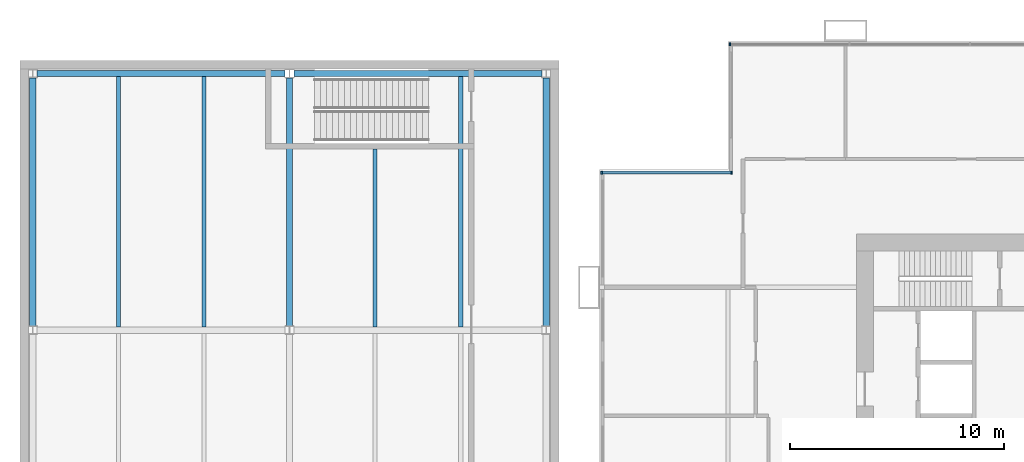
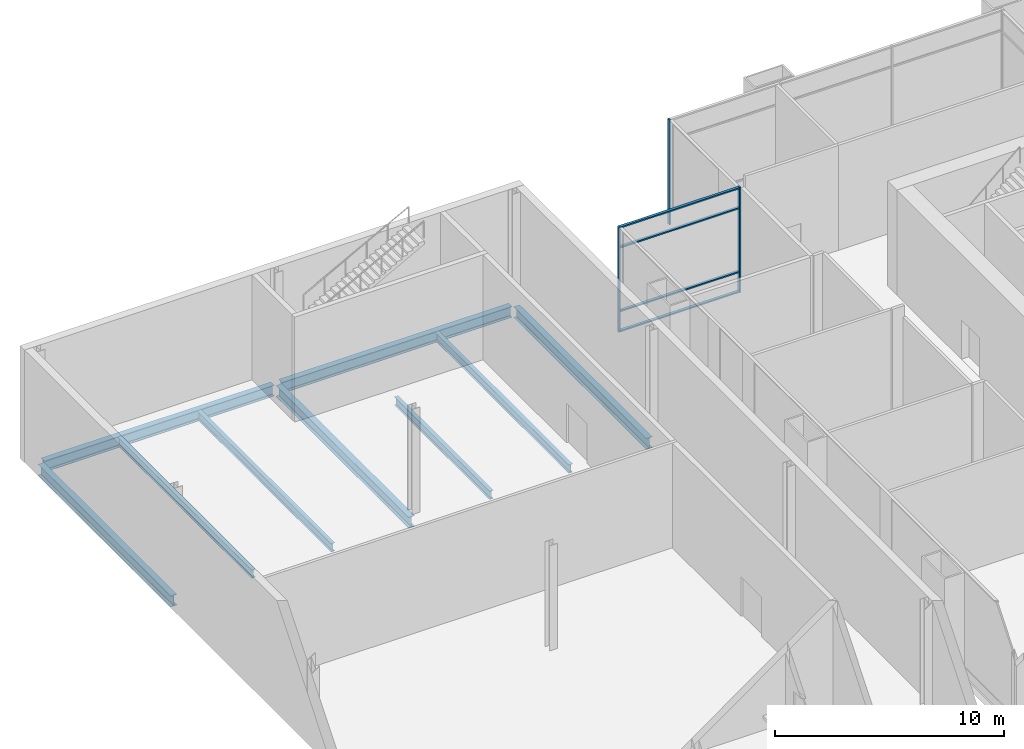
# One storey, part 15 of 30: 9 beams, 7 members, 2 elements without a shape of their own.
"""IFC4 building model written with IfcOpenShell, lengths in metres."""

from ifc_helpers import new_model, si_unit, direction, frame, origin, origin_2d, place, context, subcontext, project, spatial, rectangle, i_section, extrude, material, material_profile, profile_set, type_object, element, aggregate, save


model = new_model("IFC4")

# Units and contexts
model_context = context("Model", 3, precision=1e-05, world=origin(), true_north=direction((0.0, 1.0)))
body_context = subcontext(model_context, "Body", "Model", "MODEL_VIEW")
ifc_project = project(units=[si_unit("LENGTHUNIT", "METRE"), si_unit("AREAUNIT", "SQUARE_METRE"), si_unit("VOLUMEUNIT", "CUBIC_METRE"), si_unit("PLANEANGLEUNIT", "RADIAN"), si_unit("MASSUNIT", "GRAM", prefix="KILO")], contexts=[model_context])

# Site, building, storey
site_placement = place(None, origin())
site = spatial("IfcSite", under=ifc_project, at=site_placement, CompositionType="ELEMENT")
building_placement = place(site_placement, origin())
building = spatial("IfcBuilding", under=site, at=building_placement, Name="Kitamizu Gate Tower and Museum", CompositionType="ELEMENT")
storey_placement = place(building_placement, frame((0.0, 0.0, 6.0)))
storey = spatial("IfcBuildingStorey", under=building, at=storey_placement, Name="L01", CompositionType="ELEMENT", Elevation=6.0)

# Curtain wall, member
ifc_material_1 = material(Name="Bronze anodised aluminium frame, tinted triple glazing", Category="aluminium")
curtain_wall_type = type_object("IfcCurtainWallType", Name="CURTAIN WALL TYPE E PODIUM PLAZA", PredefinedType="NOTDEFINED", material=ifc_material_1)
curtain_wall_1_placement = place(storey_placement, origin())
curtain_wall_1 = element("IfcCurtainWall", 1, at=curtain_wall_1_placement, inside=storey, type_object=curtain_wall_type, Name="Curtain wall CW-E north L01", PredefinedType="NOTDEFINED")
ifc_material_2 = material(Name="Bronze anodised aluminium", Category="aluminium")
ifc_material_profile_1 = material_profile(ifc_material_2, rectangle(XDim=0.080078125, YDim=0.14990234375, at=origin_2d()), Name="AL 80X150")
ifc_profile_set_1 = profile_set([ifc_material_profile_1], Name="Bronze anodised aluminium")
member_type_1 = type_object("IfcMemberType", Name="MULLION 80 X 150 TYPE E", PredefinedType="MULLION", material=ifc_profile_set_1)
member_1_placement = place(storey_placement, frame((6.60009765625, 47.364990234375, 0.0), z_axis=(0.0, 0.0, 1.0), x_axis=(1.0, 0.0, 0.0)))
member_1 = element("IfcMember", 2, at=member_1_placement, type_object=member_type_1, Name="CW-E mullion 1", PredefinedType="MULLION", context=body_context, shape_type="SweptSolid", body=[
    extrude(rectangle(XDim=0.080078125, YDim=0.14990234375, at=origin_2d()), origin(), (0.0, 0.0, 1.0), 5.60009765625),
])
aggregate(curtain_wall_1, [member_1])

# Curtain wall, members
curtain_wall_2_placement = place(storey_placement, origin())
curtain_wall_2 = element("IfcCurtainWall", 3, at=curtain_wall_2_placement, inside=storey, type_object=curtain_wall_type, Name="Curtain wall CW-E north L01", PredefinedType="NOTDEFINED")
member_2_placement = place(storey_placement, frame((0.60009765625, 41.364990234375, 0.0), z_axis=(0.0, 0.0, 1.0), x_axis=(1.0, 0.0, 0.0)))
member_2 = element("IfcMember", 4, at=member_2_placement, type_object=member_type_1, Name="CW-E mullion 1", PredefinedType="MULLION", context=body_context, shape_type="SweptSolid", body=[
    extrude(rectangle(XDim=0.080078125, YDim=0.14990234375, at=origin_2d()), origin(), (0.0, 0.0, 1.0), 5.60009765625),
])
member_3_placement = place(storey_placement, frame((6.669921875, 41.364990234375, 0.0), z_axis=(0.0, 0.0, 1.0), x_axis=(1.0, 0.0, 0.0)))
member_3 = element("IfcMember", 5, at=member_3_placement, type_object=member_type_1, Name="CW-E mullion 2", PredefinedType="MULLION", context=body_context, shape_type="SweptSolid", body=[
    extrude(rectangle(XDim=0.080078125, YDim=0.14990234375, at=origin_2d()), origin(), (0.0, 0.0, 1.0), 5.60009765625),
])

# Beams
ifc_material_3 = material(Name="Steel SS400", Category="steel")
ifc_material_profile_2 = material_profile(ifc_material_3, i_section(OverallWidth=0.300048828125, OverallDepth=0.587890625, WebThickness=0.011962890625, FlangeThickness=0.02001953125, FilletRadius=0.028076171875, at=origin_2d()), Name="H-588x300x12x20")
ifc_profile_set_2 = profile_set([ifc_material_profile_2], Name="Steel SS400")
beam_type_1 = type_object("IfcBeamType", Name="Museum girder H 588x300x12x20", PredefinedType="BEAM", material=ifc_profile_set_2)
for number, where, z_axis, x_axis, name in (
    (6, (-25.800048828125, 46.0, -0.694091796875), (1.0, 0.0, 0.0), (0.0, 1.0, 0.0), "Girder xM1M2MG"),
    (7, (-13.800048828125, 46.0, -0.694091796875), (1.0, 0.0, 0.0), (0.0, 1.0, 0.0), "Girder xM2M3MG"),
    (8, (-26.0, 34.199951171875, -0.694091796875), (0.0, 1.0, 0.0), (-1.0, 0.0, 0.0), "Girder yM1MFMG"),
    (9, (-14.0, 34.199951171875, -0.694091796875), (0.0, 1.0, 0.0), (-1.0, 0.0, 0.0), "Girder yM2MFMG"),
    (10, (-2.0, 34.199951171875, -0.694091796875), (0.0, 1.0, 0.0), (-1.0, 0.0, 0.0), "Girder yM3MFMG"),
):
    element("IfcBeam", number, at=place(storey_placement, frame(where, z_axis=z_axis, x_axis=x_axis)), inside=storey, type_object=beam_type_1, Name=name, PredefinedType="BEAM", context=body_context, shape_type="SweptSolid", body=[
        extrude(i_section(OverallWidth=0.300048828125, OverallDepth=0.587890625, WebThickness=0.011962890625, FlangeThickness=0.02001953125, FilletRadius=0.028076171875, at=origin_2d()), origin(), (0.0, 0.0, 1.0), 11.60009765625),
    ])
ifc_material_4 = material(Name="Steel SS400", Category="steel")
ifc_material_profile_3 = material_profile(ifc_material_4, i_section(OverallWidth=0.199951171875, OverallDepth=0.449951171875, WebThickness=0.009033203125, FlangeThickness=0.013916015625, FilletRadius=0.01806640625, at=origin_2d()), Name="H-450x200x9x14")
ifc_profile_set_3 = profile_set([ifc_material_profile_3], Name="Steel SS400")
beam_type_2 = type_object("IfcBeamType", Name="Museum secondary beam H 450x200x9x14", PredefinedType="JOIST", material=ifc_profile_set_3)
for number, where, z_axis, x_axis, name in (
    (11, (-22.0, 34.14990234375, -0.625), (0.0, 1.0, 0.0), (-1.0, 0.0, 0.0), "Secondary beam M1M2MFMG.1"),
    (12, (-18.0, 34.14990234375, -0.625), (0.0, 1.0, 0.0), (-1.0, 0.0, 0.0), "Secondary beam M1M2MFMG.2"),
):
    element("IfcBeam", number, at=place(storey_placement, frame(where, z_axis=z_axis, x_axis=x_axis)), inside=storey, type_object=beam_type_2, Name=name, PredefinedType="JOIST", context=body_context, shape_type="SweptSolid", body=[
        extrude(i_section(OverallWidth=0.199951171875, OverallDepth=0.449951171875, WebThickness=0.009033203125, FlangeThickness=0.013916015625, FilletRadius=0.01806640625, at=origin_2d()), origin(), (0.0, 0.0, 1.0), 11.7001953125),
    ])
beam_1_placement = place(storey_placement, frame((-10.0, 34.14990234375, -0.625), z_axis=(0.0, 1.0, 0.0), x_axis=(-1.0, 0.0, 0.0)))
element("IfcBeam", 13, at=beam_1_placement, inside=storey, type_object=beam_type_2, Name="Secondary beam M2M3MFMG.1", PredefinedType="JOIST", context=body_context, shape_type="SweptSolid", body=[
    extrude(i_section(OverallWidth=0.199951171875, OverallDepth=0.449951171875, WebThickness=0.009033203125, FlangeThickness=0.013916015625, FilletRadius=0.01806640625, at=origin_2d()), origin(), (0.0, 0.0, 1.0), 8.3251953125),
])
beam_2_placement = place(storey_placement, frame((-6.0, 34.14990234375, -0.625), z_axis=(0.0, 1.0, 0.0), x_axis=(-1.0, 0.0, 0.0)))
element("IfcBeam", 14, at=beam_2_placement, inside=storey, type_object=beam_type_2, Name="Secondary beam M2M3MFMG.2", PredefinedType="JOIST", context=body_context, shape_type="SweptSolid", body=[
    extrude(i_section(OverallWidth=0.199951171875, OverallDepth=0.449951171875, WebThickness=0.009033203125, FlangeThickness=0.013916015625, FilletRadius=0.01806640625, at=origin_2d()), origin(), (0.0, 0.0, 1.0), 11.7001953125),
])

# Member
ifc_material_5 = material(Name="Bronze anodised aluminium", Category="aluminium")
ifc_material_profile_4 = material_profile(ifc_material_5, rectangle(XDim=0.139892578125, YDim=0.070068359375, at=origin_2d()), Name="AL 70X140")
ifc_profile_set_4 = profile_set([ifc_material_profile_4], Name="Bronze anodised aluminium")
member_type_2 = type_object("IfcMemberType", Name="TRANSOM 70 X 140 TYPE E", PredefinedType="USERDEFINED", material=ifc_profile_set_4)
member_4_placement = place(storey_placement, frame((0.639892578125, 41.364990234375, 0.034912109375), z_axis=(1.0, 0.0, 0.0), x_axis=(0.0, 1.0, 0.0)))
member_4 = element("IfcMember", 15, at=member_4_placement, type_object=member_type_2, Name="CW-E transom 1.1", ObjectType="TRANSOM", PredefinedType="USERDEFINED", context=body_context, shape_type="SweptSolid", body=[
    extrude(rectangle(XDim=0.139892578125, YDim=0.070068359375, at=origin_2d()), origin(), (0.0, 0.0, 1.0), 5.989990234375),
])

member_5_placement = place(storey_placement, frame((0.639892578125, 41.364990234375, 1.10009765625), z_axis=(1.0, 0.0, 0.0), x_axis=(0.0, 1.0, 0.0)))
member_5 = element("IfcMember", 16, at=member_5_placement, type_object=member_type_2, Name="CW-E transom 1.2", ObjectType="TRANSOM", PredefinedType="USERDEFINED", context=body_context, shape_type="SweptSolid", body=[
    extrude(rectangle(XDim=0.139892578125, YDim=0.070068359375, at=origin_2d()), origin(), (0.0, 0.0, 1.0), 5.989990234375),
])

member_6_placement = place(storey_placement, frame((0.639892578125, 41.364990234375, 4.5), z_axis=(1.0, 0.0, 0.0), x_axis=(0.0, 1.0, 0.0)))
member_6 = element("IfcMember", 17, at=member_6_placement, type_object=member_type_2, Name="CW-E transom 1.3", ObjectType="TRANSOM", PredefinedType="USERDEFINED", context=body_context, shape_type="SweptSolid", body=[
    extrude(rectangle(XDim=0.139892578125, YDim=0.070068359375, at=origin_2d()), origin(), (0.0, 0.0, 1.0), 5.989990234375),
])

member_7_placement = place(storey_placement, frame((0.639892578125, 41.364990234375, 5.56494140625), z_axis=(1.0, 0.0, 0.0), x_axis=(0.0, 1.0, 0.0)))
member_7 = element("IfcMember", 18, at=member_7_placement, type_object=member_type_2, Name="CW-E transom 1.4", ObjectType="TRANSOM", PredefinedType="USERDEFINED", context=body_context, shape_type="SweptSolid", body=[
    extrude(rectangle(XDim=0.139892578125, YDim=0.070068359375, at=origin_2d()), origin(), (0.0, 0.0, 1.0), 5.989990234375),
])

aggregate(curtain_wall_2, [member_2, member_3, member_4, member_5, member_6, member_7])

save(model, "model.ifc")
